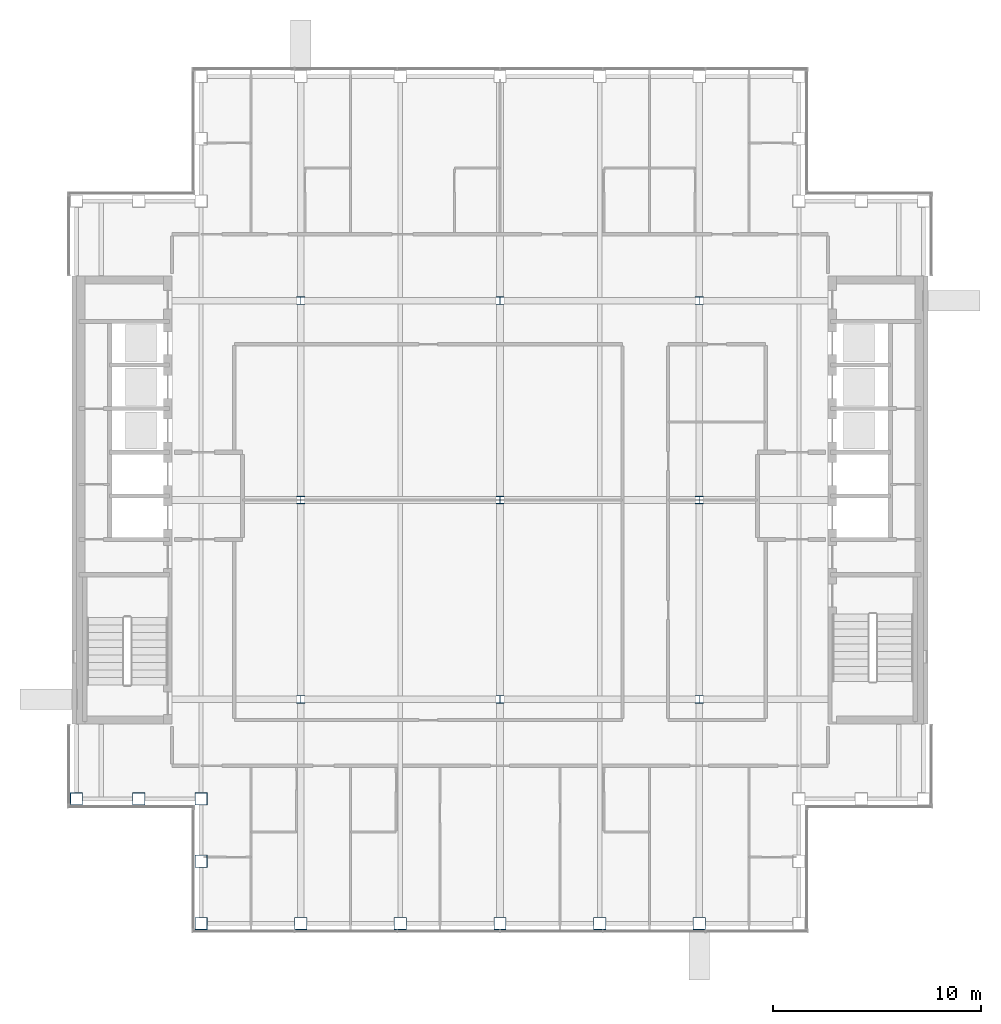
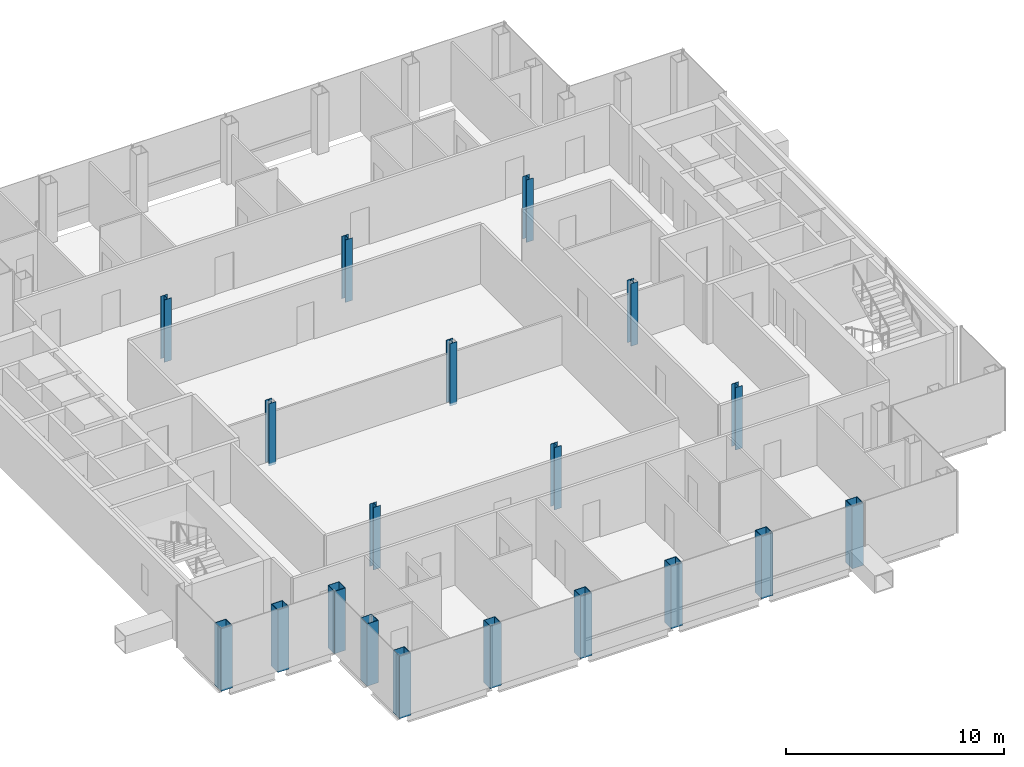
# One storey, part 1 of 15: 19 columns.
"""IFC4 building model written with IfcOpenShell, lengths in metres."""

import ifcopenshell
import ifcopenshell.guid

model = None  # the IFC model being written
_history = None  # IfcOwnerHistory: only IFC2X3 demands one
_inside = {}  # id of a spatial element -> (the spatial element, [elements in it])
_under = {}  # id of a project, library or spatial element -> (it, [spatial elements below it])
_declared = {}  # id of a project -> (the project, [libraries it declares])
_typed = {}  # id of a type object -> (the type object, [elements of that type])
_made_of = {}  # id of a material, layer set ... -> (it, [elements and type objects made of it])


def new_model(schema):
    """Start an empty IFC model of exactly this schema.

    Asked for "IFC4X3", IfcOpenShell would pick the latest addendum, in which some entities
    have other attributes; the version numbers below select the first issue.
    IFC2X3 requires an IfcOwnerHistory on every rooted entity: one is made here for all.
    """
    global model, _history
    if schema == "IFC4X3":
        model = ifcopenshell.file(schema_version=(4, 3, 0, 0))
    else:
        model = ifcopenshell.file(schema=schema)
    _inside.clear()
    _under.clear()
    _declared.clear()
    _typed.clear()
    _made_of.clear()
    _history = None
    if model.schema == "IFC2X3":
        org = make("IfcOrganization", Name="unknown")
        user = make(
            "IfcPersonAndOrganization",
            ThePerson=make("IfcPerson", FamilyName="unknown"),
            TheOrganization=org,
        )
        app = make(
            "IfcApplication",
            ApplicationDeveloper=org,
            Version="unknown",
            ApplicationFullName="unknown",
            ApplicationIdentifier="unknown",
        )
        _history = make(
            "IfcOwnerHistory",
            OwningUser=user,
            OwningApplication=app,
            ChangeAction="ADDED",
            CreationDate=0,
        )
    return model


def make(cls, **values):
    """One entity of the class cls with the attributes given. An attribute that is None is left unset."""
    return model.create_entity(
        cls, **{name: value for name, value in values.items() if value is not None}
    )


def rooted(cls, **values):
    """An entity with a GlobalId (a new one), such as an element, a storey or a relation."""
    return make(cls, GlobalId=ifcopenshell.guid.new(), OwnerHistory=_history, **values)


def si_unit(unit_type, name, prefix=None):
    """IfcSIUnit, for example si_unit("LENGTHUNIT", "METRE", prefix="MILLI")."""
    return make("IfcSIUnit", UnitType=unit_type, Prefix=prefix, Name=name)


def assignment(units):
    """IfcUnitAssignment: the units of a project."""
    return None if units is None else make("IfcUnitAssignment", Units=units)


def point(xyz):
    """IfcCartesianPoint."""
    return None if xyz is None else make("IfcCartesianPoint", Coordinates=xyz)


def direction(xyz):
    """IfcDirection."""
    return None if xyz is None else make("IfcDirection", DirectionRatios=xyz)


def frame(location, z_axis=None, x_axis=None):
    """IfcAxis2Placement3D, a coordinate frame: its origin and axes. An axis left out is left unset."""
    return make(
        "IfcAxis2Placement3D",
        Location=point(location),
        Axis=direction(z_axis),
        RefDirection=direction(x_axis),
    )


def frame_2d(location, x_axis=None):
    """IfcAxis2Placement2D, a coordinate frame in the plane: its origin and x axis."""
    return make(
        "IfcAxis2Placement2D", Location=point(location), RefDirection=direction(x_axis)
    )


def origin():
    """The frame at (0, 0, 0) with its axes left unset."""
    return frame((0.0, 0.0, 0.0))


def origin_2d():
    """The frame at (0, 0) in the plane with its x axis left unset."""
    return frame_2d((0.0, 0.0))


def place(relative_to, where):
    """IfcLocalPlacement: puts the frame where relative to a parent placement (None: the world)."""
    return make(
        "IfcLocalPlacement", PlacementRelTo=relative_to, RelativePlacement=where
    )


def context(
    kind, dimensions, precision=None, world=None, true_north=None, identifier=None
):
    """IfcGeometricRepresentationContext, for example the 3D "Model" context."""
    return make(
        "IfcGeometricRepresentationContext",
        ContextIdentifier=identifier,
        ContextType=kind,
        CoordinateSpaceDimension=dimensions,
        Precision=precision,
        WorldCoordinateSystem=world,
        TrueNorth=true_north,
    )


def subcontext(parent, identifier, kind, view, scale=None):
    """IfcGeometricRepresentationSubContext, for example "Body" below "Model"."""
    return make(
        "IfcGeometricRepresentationSubContext",
        ContextIdentifier=identifier,
        ContextType=kind,
        ParentContext=parent,
        TargetScale=scale,
        TargetView=view,
    )


def project(units=None, contexts=None):
    """IfcProject with its units and contexts."""
    return rooted(
        "IfcProject",
        Name="project",
        RepresentationContexts=contexts,
        UnitsInContext=assignment(units),
    )


def spatial(cls, under=None, at=None, **own):
    """A site, building, storey or space (cls), placed at a placement, below another one or the project."""
    s = rooted(cls, ObjectPlacement=at, **own)
    if under is not None:
        _under.setdefault(under.id(), (under, []))[1].append(s)
    return s


def profile(cls, at=None, kind="AREA", **sizes):
    """A parametric profile (cls). Its sizes go by their IFC names, for example OverallWidth=200.0."""
    return make(cls, ProfileType=kind, Position=at, **sizes)


def hollow_rectangle(**sizes):
    """IfcRectangleHollowProfileDef."""
    return profile("IfcRectangleHollowProfileDef", **sizes)


def i_section(**sizes):
    """IfcIShapeProfileDef."""
    return profile("IfcIShapeProfileDef", **sizes)


def extrude(swept, where, along, depth):
    """IfcExtrudedAreaSolid: the profile swept, set in the frame where, extruded along a direction by depth."""
    return make(
        "IfcExtrudedAreaSolid",
        SweptArea=swept,
        Position=where,
        ExtrudedDirection=direction(along),
        Depth=depth,
    )


def shape(context_of_items, identifier, shape_type, items):
    """IfcShapeRepresentation: the items that make up one representation, for example the "Body"."""
    return make(
        "IfcShapeRepresentation",
        ContextOfItems=context_of_items,
        RepresentationIdentifier=identifier,
        RepresentationType=shape_type,
        Items=items,
    )


def material(Name=None, Category=None):
    """IfcMaterial."""
    return make("IfcMaterial", Name=Name, Category=Category)


def material_profile(
    of_material, cross_section, Name=None, Category=None, Priority=None
):
    """IfcMaterialProfile: a cross section and its material."""
    return make(
        "IfcMaterialProfile",
        Name=Name,
        Material=of_material,
        Profile=cross_section,
        Priority=Priority,
        Category=Category,
    )


def profile_set(profiles, Name=None, composite=None):
    """IfcMaterialProfileSet."""
    return make(
        "IfcMaterialProfileSet",
        Name=Name,
        MaterialProfiles=profiles,
        CompositeProfile=composite,
    )


def made_of(thing, what):
    """Note that an element or type object is made of a material, layer set ...; save() writes the relation."""
    if what is not None:
        _made_of.setdefault(what.id(), (what, []))[1].append(thing)
    return thing


def type_object(cls, material=None, **own):
    """A type object (cls), such as IfcWallType, which elements share."""
    return made_of(rooted(cls, **own), material)


def element(
    cls,
    number,
    at=None,
    inside=None,
    cuts=None,
    type_object=None,
    material=None,
    context=None,
    identifier="Body",
    shape_type=None,
    held_by="IfcProductDefinitionShape",
    body=None,
    shapes=None,
    **own,
):
    """One element of the class cls, such as IfcWall. Its Tag is "e" and its number.

    at: its placement. inside: the storey or other place that contains it. cuts: it is an
    opening in that element (IfcRelVoidsElement). A single representation is given by context,
    identifier, shape_type and body (its items); several are given by shapes. held_by: the class
    of the entity that holds the representations. save() writes the other relations.
    """
    e = rooted(cls, Tag="e%d" % number, ObjectPlacement=at, **own)
    if body is not None:
        shapes = [shape(context, identifier, shape_type, body)]
    if shapes is not None:
        e.Representation = make(held_by, Representations=shapes)
    if inside is not None:
        _inside.setdefault(inside.id(), (inside, []))[1].append(e)
    if cuts is not None:
        rooted(
            "IfcRelVoidsElement", RelatingBuildingElement=cuts, RelatedOpeningElement=e
        )
    if type_object is not None:
        _typed.setdefault(type_object.id(), (type_object, []))[1].append(e)
    return made_of(e, material)


def aggregate(whole, parts):
    """IfcRelAggregates: a whole, such as a stair, and the parts it consists of."""
    return rooted("IfcRelAggregates", RelatingObject=whole, RelatedObjects=parts)


def save(model, path):
    """Write the relations noted so far, then the file.

    IfcRelAggregates (storeys below a building ...), IfcRelContainedInSpatialStructure (elements
    in a storey), IfcRelDefinesByType, IfcRelAssociatesMaterial and IfcRelDeclares: one each for
    every whole, place, type object, material and project.
    """
    for whole, parts in _under.values():
        aggregate(whole, parts)
    for where, things in _inside.values():
        rooted(
            "IfcRelContainedInSpatialStructure",
            RelatedElements=things,
            RelatingStructure=where,
        )
    for kind, things in _typed.values():
        rooted("IfcRelDefinesByType", RelatedObjects=things, RelatingType=kind)
    for what, things in _made_of.values():
        rooted("IfcRelAssociatesMaterial", RelatedObjects=things, RelatingMaterial=what)
    for by, libraries in _declared.values():
        rooted("IfcRelDeclares", RelatingContext=by, RelatedDefinitions=libraries)
    model.write(path)


model = new_model("IFC4")

# Units and contexts
model_context = context("Model", 3, precision=1e-05, world=origin(), true_north=direction((0.0, 1.0)))
body_context = subcontext(model_context, "Body", "Model", "MODEL_VIEW")
ifc_project = project(units=[si_unit("LENGTHUNIT", "METRE"), si_unit("AREAUNIT", "SQUARE_METRE"), si_unit("VOLUMEUNIT", "CUBIC_METRE"), si_unit("PLANEANGLEUNIT", "RADIAN"), si_unit("MASSUNIT", "GRAM", prefix="KILO")], contexts=[model_context])

# Site, building, storey
site_placement = place(None, origin())
site = spatial("IfcSite", under=ifc_project, at=site_placement, CompositionType="ELEMENT")
building_placement = place(site_placement, origin())
building = spatial("IfcBuilding", under=site, at=building_placement, Name="Cobrizo Arcos Hotel Tower", CompositionType="ELEMENT")
storey_placement = place(building_placement, frame((0.0, 0.0, 258.5)))
storey = spatial("IfcBuildingStorey", under=building, at=storey_placement, Name="L68", CompositionType="ELEMENT", Elevation=258.5)

# Columns
ifc_material_1 = material(Name="Steel ASTM A572 Grade 50", Category="steel")
ifc_material_profile_1 = material_profile(ifc_material_1, hollow_rectangle(XDim=0.60009765625, YDim=0.60009765625, WallThickness=0.030029296875, at=origin_2d()), Name="BOX 600X600X30")
ifc_profile_set_1 = profile_set([ifc_material_profile_1], Name="Steel ASTM A572 Grade 50")
column_type_1 = type_object("IfcColumnType", Name="BOX 600X600X30 column", PredefinedType="COLUMN", material=ifc_profile_set_1)
for number, where, z_axis, x_axis, name in (
    (1, (-14.39990234375, -20.39990234375, -0.14990234375), (0.0, 0.0, 1.0), (1.0, 0.0, 0.0), "Perimeter column C12, L68, no. 01"),
    (2, (-9.60009765625, -20.39990234375, -0.14990234375), (0.0, 0.0, 1.0), (1.0, 0.0, 0.0), "Perimeter column C12, L68, no. 03"),
    (3, (-4.800048828125, -20.39990234375, -0.14990234375), (0.0, 0.0, 1.0), (1.0, 0.0, 0.0), "Perimeter column C12, L68, no. 05"),
    (4, (0.0, -20.39990234375, -0.14990234375), (0.0, 0.0, 1.0), (1.0, 0.0, 0.0), "Perimeter column C12, L68, no. 07"),
    (5, (4.800048828125, -20.39990234375, -0.14990234375), (0.0, 0.0, 1.0), (1.0, 0.0, 0.0), "Perimeter column C12, L68, no. 09"),
    (6, (9.60009765625, -20.39990234375, -0.14990234375), (0.0, 0.0, 1.0), (1.0, 0.0, 0.0), "Perimeter column C12, L68, no. 11"),
    (7, (-20.39990234375, -14.39990234375, -0.14990234375), (0.0, 0.0, 1.0), (1.0, 0.0, 0.0), "Perimeter column C12, L68, no. 15"),
    (8, (-14.39990234375, -14.39990234375, -0.14990234375), (0.0, 0.0, 1.0), (1.0, 0.0, 0.0), "Perimeter column C12, L68, no. 18"),
    (9, (-14.39990234375, -17.39990234375, -0.14990234375), (0.0, 0.0, 1.0), (1.0, 0.0, 0.0), "Perimeter column C12, L68, no. 19"),
    (10, (-17.39990234375, -14.39990234375, -0.14990234375), (0.0, 0.0, 1.0), (1.0, 0.0, 0.0), "Perimeter column C12, L68, no. 20"),
):
    element("IfcColumn", number, at=place(storey_placement, frame(where, z_axis=z_axis, x_axis=x_axis)), inside=storey, type_object=column_type_1, Name=name, PredefinedType="COLUMN", context=body_context, shape_type="SweptSolid", body=[
        extrude(hollow_rectangle(XDim=0.60009765625, YDim=0.60009765625, WallThickness=0.030029296875, at=origin_2d()), origin(), (0.0, 0.0, 1.0), 3.5),
    ])
ifc_material_2 = material(Name="Steel ASTM A992 Grade 50", Category="steel")
ifc_material_profile_2 = material_profile(ifc_material_2, i_section(OverallWidth=0.368408203125, OverallDepth=0.355712890625, WebThickness=0.01123046875, FlangeThickness=0.01806640625, at=origin_2d()), Name="W14X90")
ifc_profile_set_2 = profile_set([ifc_material_profile_2], Name="Steel ASTM A992 Grade 50")
column_type_2 = type_object("IfcColumnType", Name="W14X90 interior column", PredefinedType="COLUMN", material=ifc_profile_set_2)
for number, where, z_axis, x_axis, name in (
    (11, (-9.60009765625, -9.60009765625, -0.14990234375), (0.0, 0.0, 1.0), (1.0, 0.0, 0.0), "Interior column C13, L68, no. 00"),
    (12, (-9.60009765625, 0.0, -0.14990234375), (0.0, 0.0, 1.0), (1.0, 0.0, 0.0), "Interior column C13, L68, no. 01"),
    (13, (-9.60009765625, 9.60009765625, -0.14990234375), (0.0, 0.0, 1.0), (1.0, 0.0, 0.0), "Interior column C13, L68, no. 02"),
    (14, (0.0, -9.60009765625, -0.14990234375), (0.0, 0.0, 1.0), (1.0, 0.0, 0.0), "Interior column C13, L68, no. 03"),
    (15, (0.0, 0.0, -0.14990234375), (0.0, 0.0, 1.0), (1.0, 0.0, 0.0), "Interior column C13, L68, no. 04"),
    (16, (0.0, 9.60009765625, -0.14990234375), (0.0, 0.0, 1.0), (1.0, 0.0, 0.0), "Interior column C13, L68, no. 05"),
    (17, (9.60009765625, -9.60009765625, -0.14990234375), (0.0, 0.0, 1.0), (1.0, 0.0, 0.0), "Interior column C13, L68, no. 06"),
    (18, (9.60009765625, 0.0, -0.14990234375), (0.0, 0.0, 1.0), (1.0, 0.0, 0.0), "Interior column C13, L68, no. 07"),
    (19, (9.60009765625, 9.60009765625, -0.14990234375), (0.0, 0.0, 1.0), (1.0, 0.0, 0.0), "Interior column C13, L68, no. 08"),
):
    element("IfcColumn", number, at=place(storey_placement, frame(where, z_axis=z_axis, x_axis=x_axis)), inside=storey, type_object=column_type_2, Name=name, PredefinedType="COLUMN", context=body_context, shape_type="SweptSolid", body=[
        extrude(i_section(OverallWidth=0.368408203125, OverallDepth=0.355712890625, WebThickness=0.01123046875, FlangeThickness=0.01806640625, at=origin_2d()), origin(), (0.0, 0.0, 1.0), 3.5),
    ])

save(model, "model.ifc")
